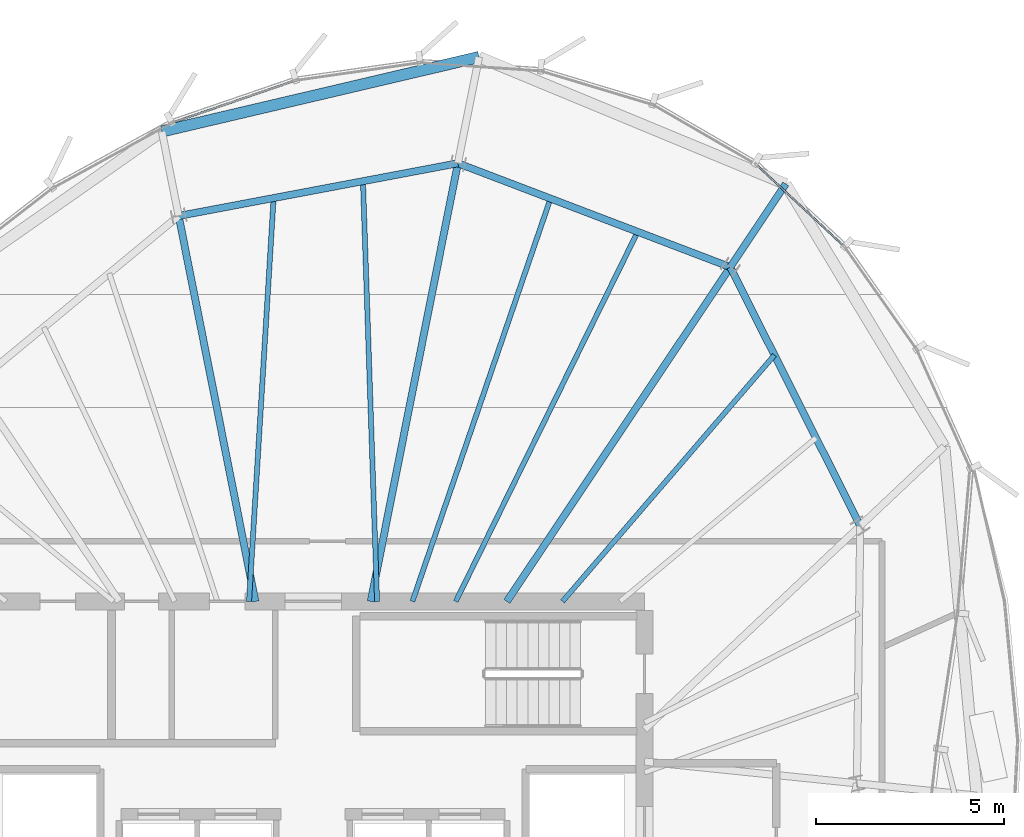
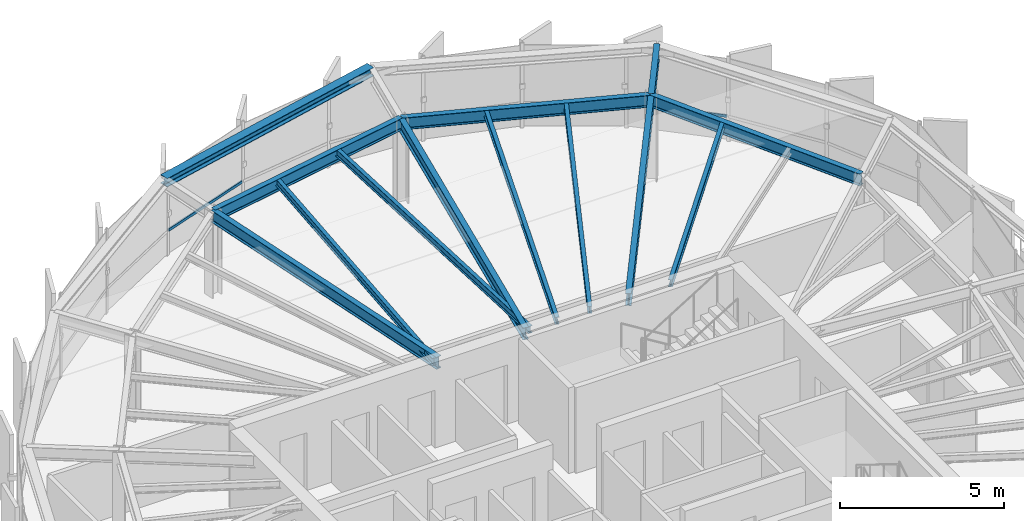
# One storey, part 20 of 31: 13 beams, 2 members, 2 elements without a shape of their own.
"""IFC4 building model written with IfcOpenShell, lengths in metres."""

from ifc_helpers import new_model, si_unit, direction, frame, origin, origin_2d, place, context, subcontext, project, spatial, hollow_rectangle, i_section, extrude, source, transform, mapped, material, layer, layer_set, material_profile, profile_set, type_object, element, aggregate, save


model = new_model("IFC4")

# Units and contexts
model_context = context("Model", 3, precision=1e-05, world=origin(), true_north=direction((0.0, 1.0)))
body_context = subcontext(model_context, "Body", "Model", "MODEL_VIEW")
ifc_project = project(units=[si_unit("LENGTHUNIT", "METRE"), si_unit("AREAUNIT", "SQUARE_METRE"), si_unit("VOLUMEUNIT", "CUBIC_METRE"), si_unit("PLANEANGLEUNIT", "RADIAN"), si_unit("MASSUNIT", "GRAM", prefix="KILO"), si_unit("THERMODYNAMICTEMPERATUREUNIT", "KELVIN")], contexts=[model_context])

# Site, building, storey
site_placement = place(None, origin())
site = spatial("IfcSite", under=ifc_project, at=site_placement, CompositionType="ELEMENT")
building_placement = place(site_placement, origin())
building = spatial("IfcBuilding", under=site, at=building_placement, Name="Kethvar Cultural Tower", CompositionType="ELEMENT")
storey_placement = place(building_placement, frame((0.0, 0.0, 300.85009765625)))
storey = spatial("IfcBuildingStorey", under=building, at=storey_placement, Name="L80", CompositionType="ELEMENT", Elevation=300.85009765625)

# Beams
ifc_material_1 = material(Name="Steel S355J2", Category="steel")
ifc_material_profile_1 = material_profile(ifc_material_1, i_section(OverallWidth=0.18994140625, OverallDepth=0.449951171875, WebThickness=0.009521484375, FlangeThickness=0.0146484375, FilletRadius=0.02099609375, at=origin_2d()), Name="Steel S355J2 — IPE450")
ifc_profile_set_1 = profile_set([ifc_material_profile_1], Name="Steel S355J2 — IPE450")
beam_type_1 = type_object("IfcBeamType", Name="BM-IPE450", PredefinedType="BEAM", material=ifc_profile_set_1)
shared_shape_1 = source(origin(), body_context, "Body", "SweptSolid", [
    extrude(i_section(OverallWidth=0.18994140625, OverallDepth=0.449951171875, WebThickness=0.009521484375, FlangeThickness=0.0146484375, FilletRadius=0.02099609375, at=origin_2d()), origin(), (0.0, 0.0, 1.0), 10.673828125),
])
beam_1_placement = place(storey_placement, frame((51.945068359375, 35.5, 2.9580078125), z_axis=(0.555576086183, 0.831465701314, 0.0), x_axis=(-0.831465701314, 0.555576086183, 0.0)))
element("IfcBeam", 1, at=beam_1_placement, inside=storey, type_object=beam_type_1, Name="L80 Primary Radial Beam RB-03", PredefinedType="BEAM", context=body_context, shape_type="MappedRepresentation", body=[
    mapped(shared_shape_1, transform((0.0, 0.0, 0.0), scale=1.0)),
])
shared_shape_2 = source(origin(), body_context, "Body", "SweptSolid", [
    extrude(i_section(OverallWidth=0.18994140625, OverallDepth=0.449951171875, WebThickness=0.009521484375, FlangeThickness=0.0146484375, FilletRadius=0.02099609375, at=origin_2d()), origin(), (0.0, 0.0, 1.0), 11.859375),
])
beam_2_placement = place(storey_placement, frame((48.33154296875, 35.5, 2.9580078125), z_axis=(0.195094640585, 0.980784421377, 0.0), x_axis=(-0.980784421377, 0.195094640585, 0.0)))
element("IfcBeam", 2, at=beam_2_placement, inside=storey, type_object=beam_type_1, Name="L80 Primary Radial Beam RB-04", PredefinedType="BEAM", context=body_context, shape_type="MappedRepresentation", body=[
    mapped(shared_shape_2, transform((0.0, 0.0, 0.0), scale=1.0)),
])
shared_shape_3 = source(origin(), body_context, "Body", "SweptSolid", [
    extrude(i_section(OverallWidth=0.18994140625, OverallDepth=0.449951171875, WebThickness=0.009521484375, FlangeThickness=0.0146484375, FilletRadius=0.02099609375, at=origin_2d()), origin(), (0.0, 0.0, 1.0), 10.432861328125),
])
beam_3_placement = place(storey_placement, frame((45.268310546875, 35.5, 2.9580078125), z_axis=(-0.195094483249, 0.980784452673, 0.0), x_axis=(-0.980784452673, -0.195094483249, 0.0)))
element("IfcBeam", 3, at=beam_3_placement, inside=storey, type_object=beam_type_1, Name="L80 Primary Radial Beam RB-05", PredefinedType="BEAM", context=body_context, shape_type="MappedRepresentation", body=[
    mapped(shared_shape_3, transform((0.0, 0.0, 0.0), scale=1.0)),
])
shared_shape_4 = source(origin(), body_context, "Body", "SweptSolid", [
    extrude(i_section(OverallWidth=0.18994140625, OverallDepth=0.449951171875, WebThickness=0.009521484375, FlangeThickness=0.0146484375, FilletRadius=0.02099609375, at=origin_2d()), origin(), (0.0, 0.0, 1.0), 7.68701171875),
])
beam_4_placement = place(storey_placement, frame((61.32568359375, 37.505859375, 2.9580078125), z_axis=(-0.448864354142, 0.893599905763, 0.0), x_axis=(-0.893599905763, -0.448864354142, 0.0)))
element("IfcBeam", 4, at=beam_4_placement, inside=storey, type_object=beam_type_1, Name="L80 Column Ring Tie Beam CR-02", PredefinedType="BEAM", context=body_context, shape_type="MappedRepresentation", body=[
    mapped(shared_shape_4, transform((0.0, 0.0, 0.0), scale=1.0)),
])
ifc_material_profile_2 = material_profile(ifc_material_1, i_section(OverallWidth=0.135009765625, OverallDepth=0.27001953125, WebThickness=0.006591796875, FlangeThickness=0.01025390625, FilletRadius=0.014892578125, at=origin_2d()), Name="Steel S355J2 — IPE270")
ifc_profile_set_2 = profile_set([ifc_material_profile_2], Name="Steel S355J2 — IPE270")
beam_type_2 = type_object("IfcBeamType", Name="BM-J270", PredefinedType="JOIST", material=ifc_profile_set_2)
shared_shape_5 = source(origin(), body_context, "Body", "SweptSolid", [
    extrude(i_section(OverallWidth=0.135009765625, OverallDepth=0.27001953125, WebThickness=0.006591796875, FlangeThickness=0.01025390625, FilletRadius=0.014892578125, at=origin_2d()), origin(), (0.0, 0.0, 1.0), 8.6259765625),
])
beam_5_placement = place(storey_placement, frame((53.42333984375, 35.5, 3.0478515625), z_axis=(0.65210499689, 0.758128665222, 0.0), x_axis=(-0.758128665222, 0.65210499689, 0.0)))
element("IfcBeam", 5, at=beam_5_placement, inside=storey, type_object=beam_type_2, Name="L80 Composite Floor Joist J-02B", PredefinedType="JOIST", context=body_context, shape_type="MappedRepresentation", body=[
    mapped(shared_shape_5, transform((0.0, 0.0, 0.0), scale=1.0)),
])
shared_shape_6 = source(origin(), body_context, "Body", "SweptSolid", [
    extrude(i_section(OverallWidth=0.18994140625, OverallDepth=0.449951171875, WebThickness=0.009521484375, FlangeThickness=0.0146484375, FilletRadius=0.02099609375, at=origin_2d()), origin(), (0.0, 0.0, 1.0), 7.737548828125),
])
beam_6_placement = place(storey_placement, frame((57.875244140625, 44.375, 2.9580078125), z_axis=(-0.934388230776, 0.356256416347, 0.0), x_axis=(-0.356256416347, -0.934388230776, 0.0)))
element("IfcBeam", 6, at=beam_6_placement, inside=storey, type_object=beam_type_1, Name="L80 Column Ring Tie Beam CR-03", PredefinedType="BEAM", context=body_context, shape_type="MappedRepresentation", body=[
    mapped(shared_shape_6, transform((0.0, 0.0, 0.0), scale=1.0)),
])
shared_shape_7 = source(origin(), body_context, "Body", "SweptSolid", [
    extrude(i_section(OverallWidth=0.135009765625, OverallDepth=0.27001953125, WebThickness=0.006591796875, FlangeThickness=0.01025390625, FilletRadius=0.014892578125, at=origin_2d()), origin(), (0.0, 0.0, 1.0), 10.935791015625),
])
beam_7_placement = place(storey_placement, frame((50.5888671875, 35.5, 3.0478515625), z_axis=(0.441498236677, 0.897262117227, 0.0), x_axis=(-0.897262117227, 0.441498236677, 0.0)))
element("IfcBeam", 7, at=beam_7_placement, inside=storey, type_object=beam_type_2, Name="L80 Composite Floor Joist J-03A", PredefinedType="JOIST", context=body_context, shape_type="MappedRepresentation", body=[
    mapped(shared_shape_7, transform((0.0, 0.0, 0.0), scale=1.0)),
])
shared_shape_8 = source(origin(), body_context, "Body", "SweptSolid", [
    extrude(i_section(OverallWidth=0.135009765625, OverallDepth=0.27001953125, WebThickness=0.006591796875, FlangeThickness=0.01025390625, FilletRadius=0.014892578125, at=origin_2d()), origin(), (0.0, 0.0, 1.0), 11.304931640625),
])
beam_8_placement = place(storey_placement, frame((49.438720703125, 35.5, 3.0478515625), z_axis=(0.324179110764, 0.945995720997, 0.0), x_axis=(-0.945995720997, 0.324179110764, 0.0)))
element("IfcBeam", 8, at=beam_8_placement, inside=storey, type_object=beam_type_2, Name="L80 Composite Floor Joist J-03B", PredefinedType="JOIST", context=body_context, shape_type="MappedRepresentation", body=[
    mapped(shared_shape_8, transform((0.0, 0.0, 0.0), scale=1.0)),
])
shared_shape_9 = source(origin(), body_context, "Body", "SweptSolid", [
    extrude(i_section(OverallWidth=0.18994140625, OverallDepth=0.449951171875, WebThickness=0.009521484375, FlangeThickness=0.0146484375, FilletRadius=0.02099609375, at=origin_2d()), origin(), (0.0, 0.0, 1.0), 7.543212890625),
])
beam_9_placement = place(storey_placement, frame((50.645263671875, 47.131591796875, 2.9580078125), z_axis=(-0.982646853086, -0.185486285532, 0.0), x_axis=(0.185486285532, -0.982646853086, 0.0)))
element("IfcBeam", 9, at=beam_9_placement, inside=storey, type_object=beam_type_1, Name="L80 Column Ring Tie Beam CR-04", PredefinedType="BEAM", context=body_context, shape_type="MappedRepresentation", body=[
    mapped(shared_shape_9, transform((0.0, 0.0, 0.0), scale=1.0)),
])
shared_shape_10 = source(origin(), body_context, "Body", "SweptSolid", [
    extrude(i_section(OverallWidth=0.135009765625, OverallDepth=0.27001953125, WebThickness=0.006591796875, FlangeThickness=0.01025390625, FilletRadius=0.014892578125, at=origin_2d()), origin(), (0.0, 0.0, 1.0), 11.162109375),
])
beam_10_placement = place(storey_placement, frame((48.5, 35.5, 3.0478515625), z_axis=(-0.0335959409, 0.999435497046, 0.0), x_axis=(-0.999435497046, -0.0335959409, 0.0)))
element("IfcBeam", 10, at=beam_10_placement, inside=storey, type_object=beam_type_2, Name="L80 Composite Floor Joist J-04A", PredefinedType="JOIST", context=body_context, shape_type="MappedRepresentation", body=[
    mapped(shared_shape_10, transform((0.0, 0.0, 0.0), scale=1.0)),
])
shared_shape_11 = source(origin(), body_context, "Body", "SweptSolid", [
    extrude(i_section(OverallWidth=0.135009765625, OverallDepth=0.27001953125, WebThickness=0.006591796875, FlangeThickness=0.01025390625, FilletRadius=0.014892578125, at=origin_2d()), origin(), (0.0, 0.0, 1.0), 10.727783203125),
])
beam_11_placement = place(storey_placement, frame((45.10009765625, 35.5, 3.0478515625), z_axis=(0.060876395586, 0.998145312297, 0.0), x_axis=(-0.998145312297, 0.060876395586, 0.0)))
element("IfcBeam", 11, at=beam_11_placement, inside=storey, type_object=beam_type_2, Name="L80 Composite Floor Joist J-04B", PredefinedType="JOIST", context=body_context, shape_type="MappedRepresentation", body=[
    mapped(shared_shape_11, transform((0.0, 0.0, 0.0), scale=1.0)),
])
shared_shape_12 = source(origin(), body_context, "Body", "SweptSolid", [
    extrude(i_section(OverallWidth=0.18994140625, OverallDepth=0.449951171875, WebThickness=0.009521484375, FlangeThickness=0.0146484375, FilletRadius=0.02099609375, at=origin_2d()), origin(), (0.0, 0.0, 1.0), 2.65234375),
])
beam_12_placement = place(storey_placement, frame((57.875244140625, 44.375, 2.9580078125), z_axis=(0.555528381153, 0.831497575303, 0.0), x_axis=(-0.831497575303, 0.555528381153, 0.0)))
element("IfcBeam", 12, at=beam_12_placement, inside=storey, type_object=beam_type_1, Name="L80 Perimeter Cantilever Beam RC-03", PredefinedType="BEAM", context=body_context, shape_type="MappedRepresentation", body=[
    mapped(shared_shape_12, transform((0.0, 0.0, 0.0), scale=1.0)),
])
ifc_material_profile_3 = material_profile(ifc_material_1, i_section(OverallWidth=0.300048828125, OverallDepth=0.320068359375, WebThickness=0.011474609375, FlangeThickness=0.0205078125, FilletRadius=0.027099609375, at=origin_2d()), Name="Steel S355J2 — HEB320")
ifc_profile_set_3 = profile_set([ifc_material_profile_3], Name="Steel S355J2 — HEB320")
beam_type_3 = type_object("IfcBeamType", Name="BM-SP320", PredefinedType="SPANDREL", material=ifc_profile_set_3)
shared_shape_13 = source(origin(), body_context, "Body", "SweptSolid", [
    extrude(i_section(OverallWidth=0.300048828125, OverallDepth=0.320068359375, WebThickness=0.011474609375, FlangeThickness=0.0205078125, FilletRadius=0.027099609375, at=origin_2d()), origin(), (0.0, 0.0, 1.0), 8.64892578125),
])
beam_13_placement = place(storey_placement, frame((51.20654296875, 49.952880859375, 3.02294921875), z_axis=(-0.973535504178, -0.228535822368, 0.0), x_axis=(0.228535822368, -0.973535504178, 0.0)))
element("IfcBeam", 13, at=beam_13_placement, inside=storey, type_object=beam_type_3, Name="L80 Perimeter Spandrel Beam SP-04", PredefinedType="SPANDREL", context=body_context, shape_type="MappedRepresentation", body=[
    mapped(shared_shape_13, transform((0.0, 0.0, 0.0), scale=1.0)),
])

# Curtain wall, member
ifc_material_2 = material(Name="Aluminium 6063-T6", Category="aluminium")
ifc_layer = layer(ifc_material_2, 0.179931640625, Name="Aluminium 6063-T6", Category="aluminium")
ifc_layer_set = layer_set([ifc_layer], Name="Aluminium 6063-T6 (180 mm)")
curtain_wall_type = type_object("IfcCurtainWallType", Name="CW-SYS-05-Z56", PredefinedType="NOTDEFINED", material=ifc_layer_set)
curtain_wall_1_placement = place(storey_placement, origin())
curtain_wall_1 = element("IfcCurtainWall", 14, at=curtain_wall_1_placement, inside=storey, type_object=curtain_wall_type, Name="L80 Curtain Wall Run 06", PredefinedType="NOTDEFINED")
ifc_material_profile_4 = material_profile(ifc_material_2, hollow_rectangle(XDim=0.050048828125, YDim=0.10009765625, WallThickness=0.00390625, at=origin_2d()), Name="Aluminium 6063-T6 — RHS100x50x4")
ifc_profile_set_4 = profile_set([ifc_material_profile_4], Name="Aluminium 6063-T6 — RHS100x50x4")
member_type = type_object("IfcMemberType", Name="CW-SYS-05-Z56-TRN", PredefinedType="USERDEFINED", material=ifc_profile_set_4)
shared_shape_14 = source(origin(), body_context, "Body", "SweptSolid", [
    extrude(hollow_rectangle(XDim=0.050048828125, YDim=0.10009765625, WallThickness=0.00390625, at=origin_2d()), origin(), (0.0, 0.0, 1.0), 3.150634765625),
])
member_1_placement = place(storey_placement, frame((60.87939453125, 44.94482421875, 0.949951171875), z_axis=(-0.732141800807, 0.68115224694, 0.0), x_axis=(-0.68115224694, -0.732141800807, 0.0)))
member_1 = element("IfcMember", 15, at=member_1_placement, type_object=member_type, Name="CW-L80-R06 Transom 6", ObjectType="TRANSOM", PredefinedType="USERDEFINED", context=body_context, shape_type="MappedRepresentation", body=[
    mapped(shared_shape_14, transform((0.0, 0.0, 0.0), scale=1.0)),
])
aggregate(curtain_wall_1, [member_1])

curtain_wall_2_placement = place(storey_placement, origin())
curtain_wall_2 = element("IfcCurtainWall", 16, at=curtain_wall_2_placement, inside=storey, type_object=curtain_wall_type, Name="L80 Curtain Wall Run 01", PredefinedType="NOTDEFINED")
shared_shape_15 = source(origin(), body_context, "Body", "SweptSolid", [
    extrude(hollow_rectangle(XDim=0.050048828125, YDim=0.10009765625, WallThickness=0.00390625, at=origin_2d()), origin(), (0.0, 0.0, 1.0), 3.4130859375),
])
member_2_placement = place(storey_placement, frame((46.305908203125, 49.322021484375, 0.949951171875), z_axis=(-0.945849345527, -0.324605938895, 0.0), x_axis=(0.324605938895, -0.945849345527, 0.0)))
member_2 = element("IfcMember", 17, at=member_2_placement, type_object=member_type, Name="CW-L80-R01 Transom 4", ObjectType="TRANSOM", PredefinedType="USERDEFINED", context=body_context, shape_type="MappedRepresentation", body=[
    mapped(shared_shape_15, transform((0.0, 0.0, 0.0), scale=1.0)),
])
aggregate(curtain_wall_2, [member_2])

save(model, "model.ifc")
